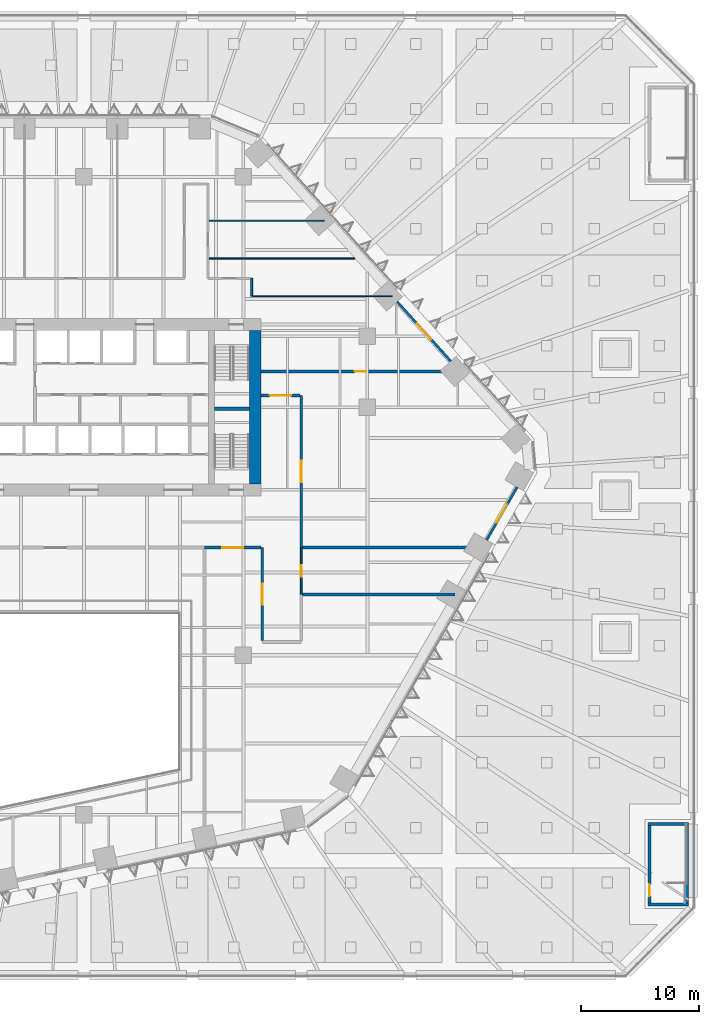
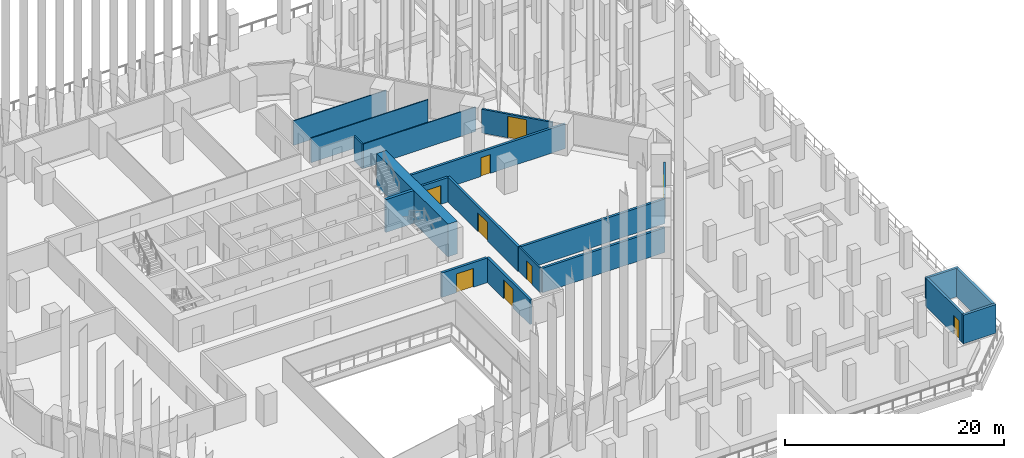
# One storey, part 27 of 51: 20 walls, 9 doors, 9 openings.
"""IFC4 building model written with IfcOpenShell, lengths in metres."""

from ifc_helpers import new_model, si_unit, direction, frame, frame_2d, origin, place, context, subcontext, project, spatial, rectangle, extrude, material, layer, layer_set, type_object, element, fill, save


model = new_model("IFC4")

# Units and contexts
model_context = context("Model", 3, precision=1e-05, world=origin(), true_north=direction((0.0, 1.0)))
body_context = subcontext(model_context, "Body", "Model", "MODEL_VIEW")
ifc_project = project(units=[si_unit("LENGTHUNIT", "METRE"), si_unit("AREAUNIT", "SQUARE_METRE"), si_unit("VOLUMEUNIT", "CUBIC_METRE"), si_unit("PLANEANGLEUNIT", "RADIAN"), si_unit("MASSUNIT", "GRAM", prefix="KILO")], contexts=[model_context])

# Site, building, storey
site_placement = place(None, origin())
site = spatial("IfcSite", under=ifc_project, at=site_placement, CompositionType="ELEMENT")
building_placement = place(site_placement, origin())
building = spatial("IfcBuilding", under=site, at=building_placement, Name="Isthmus Gate Tower", CompositionType="ELEMENT")
storey_placement = place(building_placement, frame((0.0, 0.0, 36.0)))
storey = spatial("IfcBuildingStorey", under=building, at=storey_placement, Name="L06", CompositionType="ELEMENT", Elevation=36.0)

# Wall, opening, door
ifc_material_1 = material(Name="Double-leaf acoustic stud wall, fire-rated", Category="gypsum")
ifc_layer_1 = layer(ifc_material_1, 0.25)
ifc_layer_set_1 = layer_set([ifc_layer_1], Name="ACOUSTIC WALL 250 60 MIN")
wall_type_1 = type_object("IfcWallType", Name="ACOUSTIC WALL 250 60 MIN", PredefinedType="PARTITIONING", material=ifc_layer_set_1)
wall_1_placement = place(storey_placement, frame((14.97509765625, -4.39990234375, 0.0), z_axis=(0.0, 0.0, 1.0), x_axis=(-1.0, 0.0, 0.0)))
wall_1 = element("IfcWall", 1, at=wall_1_placement, inside=storey, type_object=wall_type_1, Name="L06 Acoustic Wall 250 60 Min", PredefinedType="PARTITIONING", context=body_context, shape_type="SweptSolid", body=[
    extrude(rectangle(XDim=4.783203125, YDim=0.25, at=frame_2d((2.3916015625, 0.0))), origin(), (0.0, 0.0, 1.0), 2.7412109375),
])
opening_1_placement = place(wall_1_placement, frame((1.47900390625, 0.0, 0.0)))
opening_1 = element("IfcOpeningElement", 2, at=opening_1_placement, cuts=wall_1, Name="Opening DT-T1A-17", PredefinedType="OPENING", context=body_context, shape_type="SweptSolid", body=[
    extrude(rectangle(XDim=1.800048828125, YDim=2.10009765625, at=frame_2d((0.89990234375, 1.050048828125))), frame((0.0, 0.135009765625, 0.0), z_axis=(0.0, -1.0, 0.0), x_axis=(1.0, 0.0, 0.0)), (0.0, 0.0, 1.0), 0.27001953125),
])
ifc_material_2 = material(Name="Solid core timber door leaf, fire-rated", Category="wood")
door_type_1 = type_object("IfcDoorType", Name="FIRE DOOR ACOUSTIC ROOM 1800 X 2100 60 MIN", OperationType="DOUBLE_DOOR_DOUBLE_SWING", PredefinedType="DOOR", material=ifc_material_2)
door_1_placement = place(opening_1_placement, origin())
door_1 = element("IfcDoor", 3, at=door_1_placement, inside=storey, type_object=door_type_1, Name="L06 room door", OperationType="DOUBLE_DOOR_DOUBLE_SWING", OverallHeight=2.10009765625, OverallWidth=1.800048828125, PredefinedType="DOOR", context=body_context, shape_type="SweptSolid", body=[
    extrude(rectangle(XDim=1.800048828125, YDim=2.10009765625, at=frame_2d((0.89990234375, 1.050048828125))), frame((0.0, 0.02490234375, 0.0), z_axis=(0.0, -1.0, 0.0), x_axis=(1.0, 0.0, 0.0)), (0.0, 0.0, 1.0), 0.050048828125),
])
fill(opening_1, door_1)

wall_2_placement = place(storey_placement, frame((18.39990234375, 8.5, 0.0), z_axis=(0.0, 0.0, 1.0), x_axis=(0.0, -1.0, 0.0)))
wall_2 = element("IfcWall", 4, at=wall_2_placement, inside=storey, type_object=wall_type_1, Name="L06 Acoustic Wall 250 60 Min", PredefinedType="PARTITIONING", context=body_context, shape_type="SweptSolid", body=[
    extrude(rectangle(XDim=12.8720703125, YDim=0.25, at=frame_2d((6.43603515625, 0.0))), origin(), (0.0, 0.0, 1.0), 2.7412109375),
])
opening_2_placement = place(wall_2_placement, frame((5.535888671875, 0.0, 0.0)))
opening_2 = element("IfcOpeningElement", 5, at=opening_2_placement, cuts=wall_2, Name="Opening DT-T1A-09", PredefinedType="OPENING", context=body_context, shape_type="SweptSolid", body=[
    extrude(rectangle(XDim=1.800048828125, YDim=2.10009765625, at=frame_2d((0.89990234375, 1.050048828125))), frame((0.0, 0.135009765625, 0.0), z_axis=(0.0, -1.0, 0.0), x_axis=(1.0, 0.0, 0.0)), (0.0, 0.0, 1.0), 0.27001953125),
])
door_2_placement = place(opening_2_placement, origin())
door_2 = element("IfcDoor", 6, at=door_2_placement, inside=storey, type_object=door_type_1, Name="L06 room door", OperationType="DOUBLE_DOOR_DOUBLE_SWING", OverallHeight=2.10009765625, OverallWidth=1.800048828125, PredefinedType="DOOR", context=body_context, shape_type="SweptSolid", body=[
    extrude(rectangle(XDim=1.800048828125, YDim=2.10009765625, at=frame_2d((0.89990234375, 1.050048828125))), frame((0.0, 0.02490234375, 0.0), z_axis=(0.0, -1.0, 0.0), x_axis=(1.0, 0.0, 0.0)), (0.0, 0.0, 1.0), 0.050048828125),
])
fill(opening_2, door_2)

wall_3_placement = place(storey_placement, frame((15.0, 10.51708984375, 0.0), z_axis=(0.0, 0.0, 1.0), x_axis=(1.0, 0.0, 0.0)))
wall_3 = element("IfcWall", 7, at=wall_3_placement, inside=storey, type_object=wall_type_1, Name="L06 Acoustic Wall 250 60 Min", PredefinedType="PARTITIONING", context=body_context, shape_type="SweptSolid", body=[
    extrude(rectangle(XDim=16.842041015625, YDim=0.25, at=frame_2d((8.4208984375, 0.0))), origin(), (0.0, 0.0, 1.0), 2.7412109375),
])
opening_3_placement = place(wall_3_placement, frame((7.9208984375, 0.0, 0.0)))
opening_3 = element("IfcOpeningElement", 8, at=opening_3_placement, cuts=wall_3, Name="Opening DT-T1A-30", PredefinedType="OPENING", context=body_context, shape_type="SweptSolid", body=[
    extrude(rectangle(XDim=1.0, YDim=2.10009765625, at=frame_2d((0.5, 1.050048828125))), frame((0.0, 0.135009765625, 0.0), z_axis=(0.0, -1.0, 0.0), x_axis=(1.0, 0.0, 0.0)), (0.0, 0.0, 1.0), 0.27001953125),
])
ifc_material_3 = material(Name="Solid core timber door leaf, fire-rated", Category="wood")
door_type_2 = type_object("IfcDoorType", Name="FIRE DOOR ROOM 1000 X 2100 60 MIN", OperationType="SINGLE_SWING_LEFT", PredefinedType="DOOR", material=ifc_material_3)
door_3_placement = place(opening_3_placement, origin())
door_3 = element("IfcDoor", 9, at=door_3_placement, inside=storey, type_object=door_type_2, Name="L06 room door", OperationType="SINGLE_SWING_LEFT", OverallHeight=2.10009765625, OverallWidth=1.0, PredefinedType="DOOR", context=body_context, shape_type="SweptSolid", body=[
    extrude(rectangle(XDim=1.0, YDim=2.10009765625, at=frame_2d((0.5, 1.050048828125))), frame((0.0, 0.02490234375, 0.0), z_axis=(0.0, -1.0, 0.0), x_axis=(1.0, 0.0, 0.0)), (0.0, 0.0, 1.0), 0.050048828125),
])
fill(opening_3, door_3)

wall_4_placement = place(storey_placement, frame((15.0, 8.5, 0.0), z_axis=(0.0, 0.0, 1.0), x_axis=(1.0, 0.0, 0.0)))
wall_4 = element("IfcWall", 10, at=wall_4_placement, inside=storey, type_object=wall_type_1, Name="L06 Acoustic Wall 250 60 Min", PredefinedType="PARTITIONING", context=body_context, shape_type="SweptSolid", body=[
    extrude(rectangle(XDim=3.27490234375, YDim=0.25, at=frame_2d((1.637451171875, 0.0))), origin(), (0.0, 0.0, 1.0), 2.7412109375),
])
opening_4_placement = place(wall_4_placement, frame((0.737548828125, 0.0, 0.0)))
opening_4 = element("IfcOpeningElement", 11, at=opening_4_placement, cuts=wall_4, Name="Opening DT-T1A-10", PredefinedType="OPENING", context=body_context, shape_type="SweptSolid", body=[
    extrude(rectangle(XDim=1.800048828125, YDim=2.10009765625, at=frame_2d((0.89990234375, 1.050048828125))), frame((0.0, 0.135009765625, 0.0), z_axis=(0.0, -1.0, 0.0), x_axis=(1.0, 0.0, 0.0)), (0.0, 0.0, 1.0), 0.27001953125),
])
door_4_placement = place(opening_4_placement, origin())
door_4 = element("IfcDoor", 12, at=door_4_placement, inside=storey, type_object=door_type_1, Name="L06 room door", OperationType="DOUBLE_DOOR_DOUBLE_SWING", OverallHeight=2.10009765625, OverallWidth=1.800048828125, PredefinedType="DOOR", context=body_context, shape_type="SweptSolid", body=[
    extrude(rectangle(XDim=1.800048828125, YDim=2.10009765625, at=frame_2d((0.89990234375, 1.050048828125))), frame((0.0, 0.02490234375, 0.0), z_axis=(0.0, -1.0, 0.0), x_axis=(1.0, 0.0, 0.0)), (0.0, 0.0, 1.0), 0.050048828125),
])
fill(opening_4, door_4)

# Walls
wall_5_placement = place(storey_placement, frame((18.52490234375, -4.3720703125, 0.0), z_axis=(0.0, 0.0, 1.0), x_axis=(1.0, 0.0, 0.0)))
element("IfcWall", 13, at=wall_5_placement, inside=storey, type_object=wall_type_1, Name="L06 Acoustic Wall 250 60 Min", PredefinedType="PARTITIONING", context=body_context, shape_type="SweptSolid", body=[
    extrude(rectangle(XDim=15.2080078125, YDim=0.25, at=frame_2d((7.60400390625, 0.0))), origin(), (0.0, 0.0, 1.0), 2.7412109375),
])
wall_6_placement = place(storey_placement, frame((18.527099609375, -8.35009765625, 0.0), z_axis=(0.0, 0.0, 1.0), x_axis=(1.0, 0.0, 0.0)))
element("IfcWall", 14, at=wall_6_placement, inside=storey, type_object=wall_type_1, Name="L06 Acoustic Wall 250 60 Min", PredefinedType="PARTITIONING", context=body_context, shape_type="SweptSolid", body=[
    extrude(rectangle(XDim=12.909912109375, YDim=0.25, at=frame_2d((6.455078125, 0.0))), origin(), (0.0, 0.0, 1.0), 2.7412109375),
])

# Wall, opening, door
wall_7_placement = place(storey_placement, frame((15.10009765625, -12.27490234375, 0.0), z_axis=(0.0, 0.0, 1.0), x_axis=(0.0, 1.0, 0.0)))
wall_7 = element("IfcWall", 15, at=wall_7_placement, inside=storey, type_object=wall_type_1, Name="L06 Acoustic Wall 250 60 Min", PredefinedType="PARTITIONING", context=body_context, shape_type="SweptSolid", body=[
    extrude(rectangle(XDim=7.875, YDim=0.25, at=frame_2d((3.9375, 0.0))), origin(), (0.0, 0.0, 1.0), 2.7412109375),
])
opening_5_placement = place(wall_7_placement, frame((3.03759765625, 0.0, 0.0)))
opening_5 = element("IfcOpeningElement", 16, at=opening_5_placement, cuts=wall_7, Name="Opening DT-T1A-16", PredefinedType="OPENING", context=body_context, shape_type="SweptSolid", body=[
    extrude(rectangle(XDim=1.800048828125, YDim=2.10009765625, at=frame_2d((0.89990234375, 1.050048828125))), frame((0.0, 0.135009765625, 0.0), z_axis=(0.0, -1.0, 0.0), x_axis=(1.0, 0.0, 0.0)), (0.0, 0.0, 1.0), 0.27001953125),
])
door_5_placement = place(opening_5_placement, origin())
door_5 = element("IfcDoor", 17, at=door_5_placement, inside=storey, type_object=door_type_1, Name="L06 room door", OperationType="DOUBLE_DOOR_DOUBLE_SWING", OverallHeight=2.10009765625, OverallWidth=1.800048828125, PredefinedType="DOOR", context=body_context, shape_type="SweptSolid", body=[
    extrude(rectangle(XDim=1.800048828125, YDim=2.10009765625, at=frame_2d((0.89990234375, 1.050048828125))), frame((0.0, 0.02490234375, 0.0), z_axis=(0.0, -1.0, 0.0), x_axis=(1.0, 0.0, 0.0)), (0.0, 0.0, 1.0), 0.050048828125),
])
fill(opening_5, door_5)

# Wall
ifc_material_4 = material(Name="Gypsum board on steel studs, fire-rated", Category="steel")
ifc_layer_2 = layer(ifc_material_4, 0.14990234375)
ifc_layer_set_2 = layer_set([ifc_layer_2], Name="CORRIDOR WALL 150 60 MIN")
wall_type_2 = type_object("IfcWallType", Name="CORRIDOR WALL 150 60 MIN", PredefinedType="PARTITIONING", material=ifc_layer_set_2)
wall_8_placement = place(storey_placement, frame((14.199951171875, 18.39990234375, 0.0), z_axis=(0.0, 0.0, 1.0), x_axis=(0.0, -1.0, 0.0)))
element("IfcWall", 18, at=wall_8_placement, inside=storey, type_object=wall_type_2, Name="L06 Corridor Wall 150 60 Min", PredefinedType="PARTITIONING", context=body_context, shape_type="SweptSolid", body=[
    extrude(rectangle(XDim=1.5, YDim=0.14990234375, at=frame_2d((0.75, 0.0))), origin(), (0.0, 0.0, 1.0), 2.7412109375),
])

# Wall, opening, door
wall_9_placement = place(storey_placement, frame((18.402099609375, -4.39794921875, 0.0), z_axis=(0.0, 0.0, 1.0), x_axis=(0.0, -1.0, 0.0)))
wall_9 = element("IfcWall", 19, at=wall_9_placement, inside=storey, type_object=wall_type_2, Name="L06 Corridor Wall 150 60 Min", PredefinedType="PARTITIONING", context=body_context, shape_type="SweptSolid", body=[
    extrude(rectangle(XDim=3.9521484375, YDim=0.14990234375, at=frame_2d((1.97607421875, 0.0))), origin(), (0.0, 0.0, 1.0), 2.7412109375),
])
opening_6_placement = place(wall_9_placement, frame((1.47607421875, 0.0, 0.0)))
opening_6 = element("IfcOpeningElement", 20, at=opening_6_placement, cuts=wall_9, Name="Opening DT-T1A-13", PredefinedType="OPENING", context=body_context, shape_type="SweptSolid", body=[
    extrude(rectangle(XDim=1.0, YDim=2.10009765625, at=frame_2d((0.5, 1.050048828125))), frame((0.0, 0.0849609375, 0.0), z_axis=(0.0, -1.0, 0.0), x_axis=(1.0, 0.0, 0.0)), (0.0, 0.0, 1.0), 0.169921875),
])
door_6_placement = place(opening_6_placement, origin())
door_6 = element("IfcDoor", 21, at=door_6_placement, inside=storey, type_object=door_type_2, Name="L06 room door", OperationType="SINGLE_SWING_RIGHT", OverallHeight=2.10009765625, OverallWidth=1.0, PredefinedType="DOOR", context=body_context, shape_type="SweptSolid", body=[
    extrude(rectangle(XDim=1.0, YDim=2.10009765625, at=frame_2d((0.5, 1.050048828125))), frame((0.0, 0.02490234375, 0.0), z_axis=(0.0, -1.0, 0.0), x_axis=(1.0, 0.0, 0.0)), (0.0, 0.0, 1.0), 0.050048828125),
])
fill(opening_6, door_6)

# Walls
ifc_material_5 = material(Name="Concrete f'c 70 MPa", Category="concrete")
ifc_layer_3 = layer(ifc_material_5, 1.0)
ifc_layer_set_3 = layer_set([ifc_layer_3], Name="RC CORE WALL 1000 F'C 70")
wall_type_3 = type_object("IfcWallType", Name="RC CORE WALL 1000 F'C 70", PredefinedType="SOLIDWALL", material=ifc_layer_set_3)
wall_10_placement = place(storey_placement, frame((14.5, 1.0, -0.14990234375), z_axis=(0.0, 0.0, 1.0), x_axis=(0.0, 1.0, 0.0)))
element("IfcWall", 22, at=wall_10_placement, inside=storey, type_object=wall_type_3, Name="str-corewall-L06-E", PredefinedType="SOLIDWALL", context=body_context, shape_type="SweptSolid", body=[
    extrude(rectangle(XDim=13.0, YDim=1.0, at=frame_2d((6.5, 0.0))), origin(), (0.0, 0.0, 1.0), 3.64990234375),
])
ifc_material_6 = material(Name="Gypsum board on steel studs, fire-rated", Category="steel")
ifc_layer_4 = layer(ifc_material_6, 0.10009765625)
ifc_layer_set_4 = layer_set([ifc_layer_4], Name="ROOM PARTITION 100 30 MIN")
wall_type_4 = type_object("IfcWallType", Name="ROOM PARTITION 100 30 MIN", PredefinedType="PARTITIONING", material=ifc_layer_set_4)
wall_11_placement = place(storey_placement, frame((10.574951171875, 23.282958984375, 0.0), z_axis=(0.0, 0.0, 1.0), x_axis=(1.0, 0.0, 0.0)))
element("IfcWall", 23, at=wall_11_placement, inside=storey, type_object=wall_type_4, Name="L06 Room Partition 100 30 Min", PredefinedType="PARTITIONING", context=body_context, shape_type="SweptSolid", body=[
    extrude(rectangle(XDim=9.77197265625, YDim=0.10009765625, at=frame_2d((4.885986328125, 0.0))), origin(), (0.0, 0.0, 1.0), 2.7412109375),
])
wall_12_placement = place(storey_placement, frame((10.574951171875, 20.092041015625, 0.0), z_axis=(0.0, 0.0, 1.0), x_axis=(1.0, 0.0, 0.0)))
element("IfcWall", 24, at=wall_12_placement, inside=storey, type_object=wall_type_4, Name="L06 Room Partition 100 30 Min", PredefinedType="PARTITIONING", context=body_context, shape_type="SweptSolid", body=[
    extrude(rectangle(XDim=12.345947265625, YDim=0.10009765625, at=frame_2d((6.1728515625, 0.0))), origin(), (0.0, 0.0, 1.0), 2.7412109375),
])
wall_13_placement = place(storey_placement, frame((14.27490234375, 16.89990234375, 0.0), z_axis=(0.0, 0.0, 1.0), x_axis=(1.0, 0.0, 0.0)))
element("IfcWall", 25, at=wall_13_placement, inside=storey, type_object=wall_type_4, Name="L06 Room Partition 100 30 Min", PredefinedType="PARTITIONING", context=body_context, shape_type="SweptSolid", body=[
    extrude(rectangle(XDim=11.820068359375, YDim=0.10009765625, at=frame_2d((5.91015625, 0.0))), origin(), (0.0, 0.0, 1.0), 2.7412109375),
])
ifc_material_7 = material(Name="Concrete f'c 40 MPa", Category="concrete")
ifc_layer_5 = layer(ifc_material_7, 0.300048828125)
ifc_layer_set_5 = layer_set([ifc_layer_5], Name="STAIR ENCLOSURE WALL 300 180 MIN")
wall_type_5 = type_object("IfcWallType", Name="STAIR ENCLOSURE WALL 300 180 MIN", PredefinedType="SOLIDWALL", material=ifc_layer_set_5)
wall_14_placement = place(storey_placement, frame((11.050048828125, 7.35009765625, -0.14990234375), z_axis=(0.0, 0.0, 1.0), x_axis=(1.0, 0.0, 0.0)))
element("IfcWall", 26, at=wall_14_placement, inside=storey, type_object=wall_type_5, Name="L06 STAIR ENCLOSURE WALL 300 180 MIN", PredefinedType="SOLIDWALL", context=body_context, shape_type="SweptSolid", body=[
    extrude(rectangle(XDim=2.949951171875, YDim=0.300048828125, at=frame_2d((1.47509765625, 0.0))), origin(), (0.0, 0.0, 1.0), 3.64990234375),
])
ifc_material_8 = material(Name="Concrete f'c 40 MPa", Category="concrete")
ifc_layer_6 = layer(ifc_material_8, 0.25)
ifc_layer_set_6 = layer_set([ifc_layer_6])
wall_type_6 = type_object("IfcWallType", Name="Stair shaft wall 250 reinforced concrete", PredefinedType="SHEAR", material=ifc_layer_set_6)
for number, where, z_axis, x_axis, name in (
    (27, (47.75, -34.60009765625, 0.0), (0.0, 0.0, 1.0), (1.0, 0.0, 0.0), "Stair head-house wall"),
    (28, (47.75, -27.803955078125, 0.0), (0.0, 0.0, 1.0), (1.0, 0.0, 0.0), "Stair head-house wall"),
):
    element("IfcWall", number, at=place(storey_placement, frame(where, z_axis=z_axis, x_axis=x_axis)), inside=storey, type_object=wall_type_6, Name=name, PredefinedType="SHEAR", context=body_context, shape_type="SweptSolid", body=[
        extrude(rectangle(XDim=3.449951171875, YDim=0.25, at=frame_2d((1.72509765625, 0.0))), origin(), (0.0, 0.0, 1.0), 3.199951171875),
    ])

# Wall, opening, door
wall_15_placement = place(storey_placement, frame((47.875, -34.47509765625, 0.0), z_axis=(0.0, 0.0, 1.0), x_axis=(0.0, 1.0, 0.0)))
wall_15 = element("IfcWall", 29, at=wall_15_placement, inside=storey, type_object=wall_type_6, Name="Stair head-house wall", PredefinedType="SHEAR", context=body_context, shape_type="SweptSolid", body=[
    extrude(rectangle(XDim=6.546142578125, YDim=0.25, at=frame_2d((3.27294921875, 0.0))), origin(), (0.0, 0.0, 1.0), 3.199951171875),
])
opening_7_placement = place(wall_15_placement, frame((0.574951171875, 0.0, 0.0)))
opening_7 = element("IfcOpeningElement", 30, at=opening_7_placement, cuts=wall_15, Name="Opening DP06-41", PredefinedType="OPENING", context=body_context, shape_type="SweptSolid", body=[
    extrude(rectangle(XDim=1.0, YDim=2.10009765625, at=frame_2d((0.5, 1.050048828125))), frame((0.0, 0.135009765625, 0.0), z_axis=(0.0, -1.0, 0.0), x_axis=(1.0, 0.0, 0.0)), (0.0, 0.0, 1.0), 0.27001953125),
])
ifc_material_9 = material(Name="Steel fire door with intumescent seals", Category="steel")
door_type_3 = type_object("IfcDoorType", Name="Fire door 1000 x 2100", OperationType="SINGLE_SWING_LEFT", PredefinedType="DOOR", material=ifc_material_9)
door_7_placement = place(opening_7_placement, origin())
door_7 = element("IfcDoor", 31, at=door_7_placement, inside=storey, type_object=door_type_3, Name="Door DP06-41", OperationType="SINGLE_SWING_LEFT", OverallHeight=2.10009765625, OverallWidth=1.0, PredefinedType="DOOR", context=body_context, shape_type="SweptSolid", body=[
    extrude(rectangle(XDim=1.0, YDim=2.10009765625, at=frame_2d((0.5, 1.050048828125))), frame((0.0, 0.02490234375, 0.0), z_axis=(0.0, -1.0, 0.0), x_axis=(1.0, 0.0, 0.0)), (0.0, 0.0, 1.0), 0.050048828125),
])
fill(opening_7, door_7)

# Wall
wall_16_placement = place(storey_placement, frame((51.074951171875, -34.47509765625, 0.0), z_axis=(0.0, 0.0, 1.0), x_axis=(0.0, 1.0, 0.0)))
element("IfcWall", 32, at=wall_16_placement, inside=storey, type_object=wall_type_6, Name="Stair head-house wall", PredefinedType="SHEAR", context=body_context, shape_type="SweptSolid", body=[
    extrude(rectangle(XDim=6.546142578125, YDim=0.25, at=frame_2d((3.27294921875, 0.0))), origin(), (0.0, 0.0, 1.0), 3.199951171875),
])

# Wall, opening, door
ifc_material_10 = material(Name="Precast concrete C40/50", Category="concrete")
ifc_layer_7 = layer(ifc_material_10, 0.199951171875)
ifc_layer_set_7 = layer_set([ifc_layer_7], Name="TERRACE DOOR WALL 200")
wall_type_7 = type_object("IfcWallType", Name="TERRACE DOOR WALL 200", PredefinedType="SOLIDWALL", material=ifc_layer_set_7)
wall_17_placement = place(storey_placement, frame((34.096435546875, -3.742919921875, 0.0), z_axis=(0.0, 0.0, 1.0), x_axis=(0.500039957582, 0.866002333035, 0.0)))
wall_17 = element("IfcWall", 33, at=wall_17_placement, inside=storey, type_object=wall_type_7, Name="TERRACE DOOR WALL", PredefinedType="SOLIDWALL", context=body_context, shape_type="SweptSolid", body=[
    extrude(rectangle(XDim=5.16943359375, YDim=0.199951171875, at=frame_2d((2.584716796875, 0.0))), origin(), (0.0, 0.0, 1.0), 2.64990234375),
])
opening_8_placement = place(wall_17_placement, frame((1.684814453125, 0.0, 0.0)))
opening_8 = element("IfcOpeningElement", 34, at=opening_8_placement, cuts=wall_17, Name="Opening DE06-03", PredefinedType="OPENING", context=body_context, shape_type="SweptSolid", body=[
    extrude(rectangle(XDim=1.800048828125, YDim=2.39990234375, at=frame_2d((0.89990234375, 1.199951171875))), frame((0.0, 0.10986328125, 0.0), z_axis=(0.0, -1.0, 0.0), x_axis=(1.0, 0.0, 0.0)), (0.0, 0.0, 1.0), 0.219970703125),
])
ifc_material_11 = material(Name="Aluminium and laminated glass", Category="aluminium")
door_type_4 = type_object("IfcDoorType", Name="TERRACE DOOR SLIDING 1800 X 2400", OperationType="DOUBLE_DOOR_SLIDING", PredefinedType="DOOR", material=ifc_material_11)
door_8_placement = place(opening_8_placement, origin())
door_8 = element("IfcDoor", 35, at=door_8_placement, inside=storey, type_object=door_type_4, Name="DOOR DE06-03", OperationType="SINGLE_SWING_LEFT", OverallHeight=2.39990234375, OverallWidth=1.800048828125, PredefinedType="DOOR", context=body_context, shape_type="SweptSolid", body=[
    extrude(rectangle(XDim=1.800048828125, YDim=2.39990234375, at=frame_2d((0.89990234375, 1.199951171875))), frame((0.0, 0.02490234375, 0.0), z_axis=(0.0, -1.0, 0.0), x_axis=(1.0, 0.0, 0.0)), (0.0, 0.0, 1.0), 0.050048828125),
])
fill(opening_8, door_8)

wall_18_placement = place(storey_placement, frame((31.05908203125, 11.38671875, 0.0), z_axis=(0.0, 0.0, 1.0), x_axis=(-0.669117690519, 0.743156454748, 0.0)))
wall_18 = element("IfcWall", 36, at=wall_18_placement, inside=storey, type_object=wall_type_7, Name="TERRACE DOOR WALL", PredefinedType="SOLIDWALL", context=body_context, shape_type="SweptSolid", body=[
    extrude(rectangle(XDim=6.78955078125, YDim=0.199951171875, at=frame_2d((3.394775390625, 0.0))), origin(), (0.0, 0.0, 1.0), 2.64990234375),
])
opening_9_placement = place(wall_18_placement, frame((2.49462890625, 0.0, 0.0)))
opening_9 = element("IfcOpeningElement", 37, at=opening_9_placement, cuts=wall_18, Name="Opening DE06-04", PredefinedType="OPENING", context=body_context, shape_type="SweptSolid", body=[
    extrude(rectangle(XDim=1.800048828125, YDim=2.39990234375, at=frame_2d((0.89990234375, 1.199951171875))), frame((0.0, 0.10986328125, 0.0), z_axis=(0.0, -1.0, 0.0), x_axis=(1.0, 0.0, 0.0)), (0.0, 0.0, 1.0), 0.219970703125),
])
door_9_placement = place(opening_9_placement, origin())
door_9 = element("IfcDoor", 38, at=door_9_placement, inside=storey, type_object=door_type_4, Name="DOOR DE06-04", OperationType="SINGLE_SWING_LEFT", OverallHeight=2.39990234375, OverallWidth=1.800048828125, PredefinedType="DOOR", context=body_context, shape_type="SweptSolid", body=[
    extrude(rectangle(XDim=1.800048828125, YDim=2.39990234375, at=frame_2d((0.89990234375, 1.199951171875))), frame((0.0, 0.02490234375, 0.0), z_axis=(0.0, -1.0, 0.0), x_axis=(1.0, 0.0, 0.0)), (0.0, 0.0, 1.0), 0.050048828125),
])
fill(opening_9, door_9)

save(model, "model.ifc")
